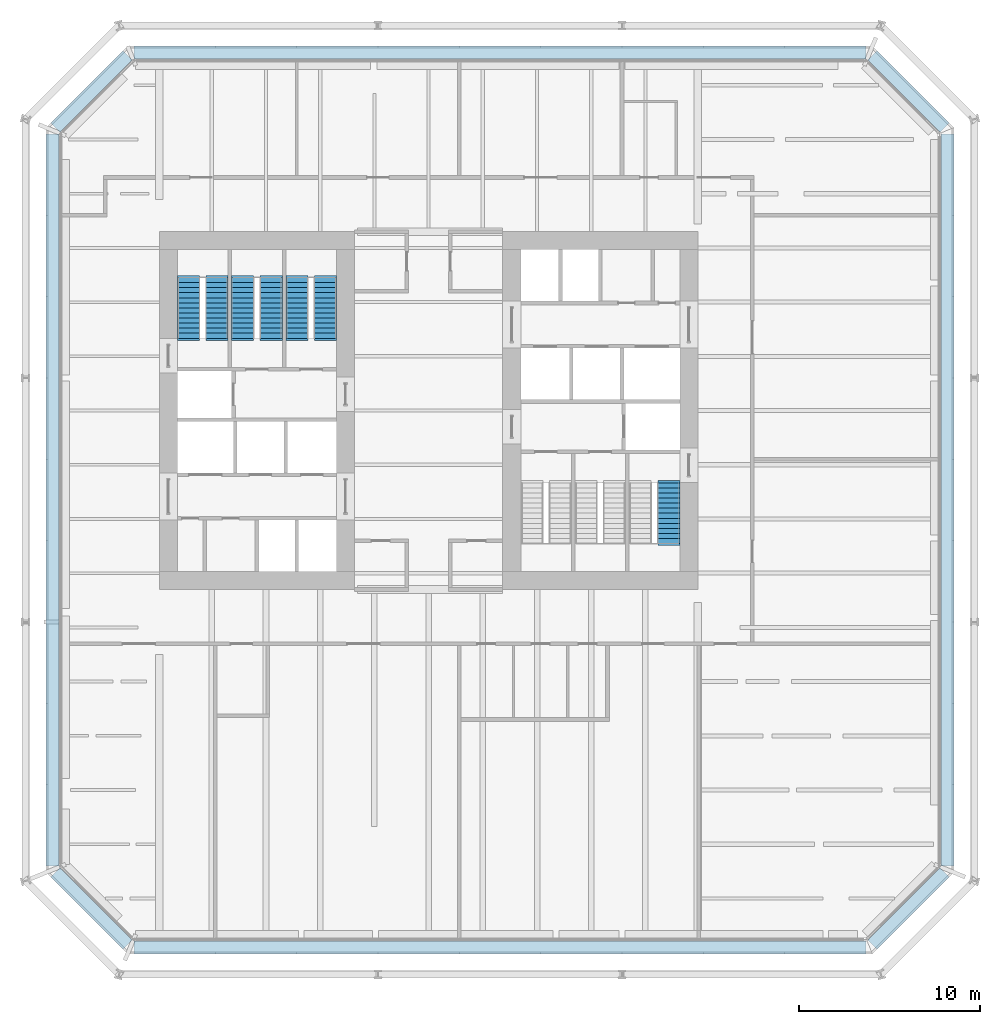
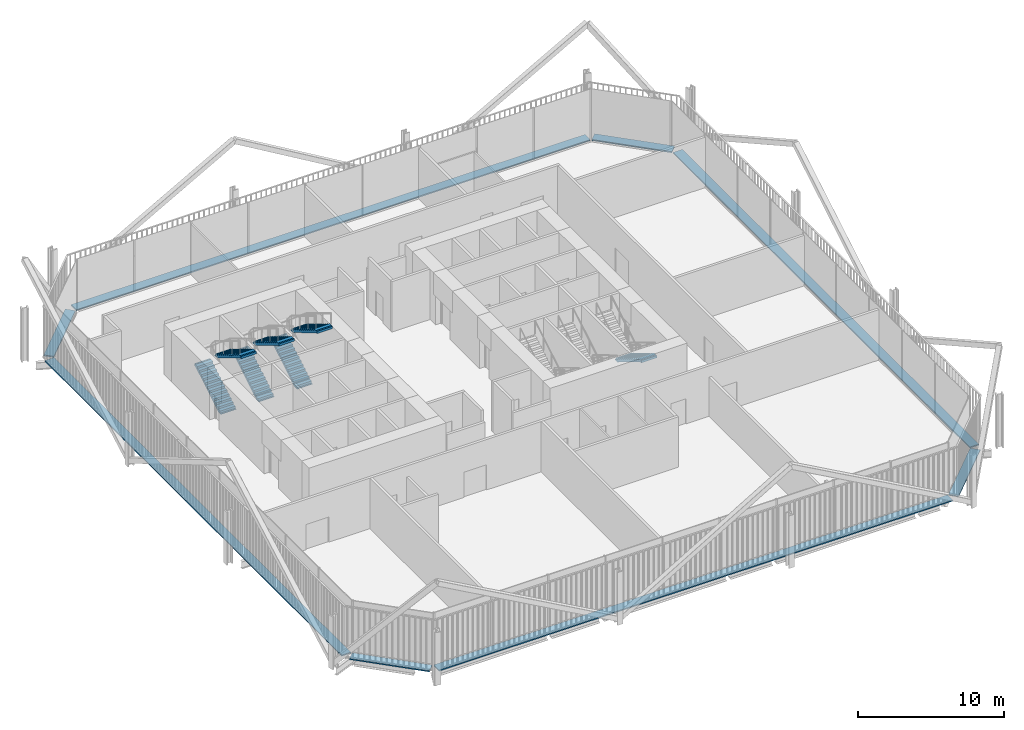
# One storey, part 20 of 21: 8 discrete accessories, 7 stair flights, 4 elements without a shape of their own.
"""IFC4 building model written with IfcOpenShell, lengths in metres."""

from ifc_helpers import new_model, si_unit, direction, frame, origin, origin_2d, place, context, subcontext, project, spatial, polyline, rectangle, outline, extrude, material, type_object, element, aggregate, save


model = new_model("IFC4")

# Units and contexts
model_context = context("Model", 3, precision=1e-05, world=origin(), true_north=direction((0.0, 1.0)))
body_context = subcontext(model_context, "Body", "Model", "MODEL_VIEW")
ifc_project = project(units=[si_unit("LENGTHUNIT", "METRE"), si_unit("AREAUNIT", "SQUARE_METRE"), si_unit("VOLUMEUNIT", "CUBIC_METRE"), si_unit("PLANEANGLEUNIT", "RADIAN"), si_unit("MASSUNIT", "GRAM", prefix="KILO")], contexts=[model_context])

# Site, building, storey
site_placement = place(None, origin())
site = spatial("IfcSite", under=ifc_project, at=site_placement, CompositionType="ELEMENT")
building_placement = place(site_placement, origin())
building = spatial("IfcBuilding", under=site, at=building_placement, Name="Millrace Tower", CompositionType="ELEMENT")
storey_placement = place(building_placement, frame((0.0, 0.0, 73.199951171875)))
storey = spatial("IfcBuildingStorey", under=building, at=storey_placement, Name="L16", CompositionType="ELEMENT", Elevation=73.199951171875)

# Stair, stair flights
ifc_material_1 = material(Name="Concrete C35", Category="concrete")
stair_type = type_object("IfcStairType", Name="Exit stair", PredefinedType="HALF_TURN_STAIR", material=ifc_material_1)
placement = place(storey_placement, origin())
stair_1 = element("IfcStair", 1, at=placement, inside=storey, type_object=stair_type, Name="Stair 1 W L16", PredefinedType="HALF_TURN_STAIR")
ifc_material_2 = material(Name="Concrete C35", Category="concrete")
stair_flight_type = type_object("IfcStairFlightType", Name="Exit stair flight", PredefinedType="STRAIGHT", material=ifc_material_2)
stair_flight_1_placement = place(storey_placement, frame((-13.2900390625, 4.0, 0.0), z_axis=(0.0, 0.0, 1.0), x_axis=(0.0, 1.0, 0.0)))
stair_flight_1 = element("IfcStairFlight", 2, at=stair_flight_1_placement, type_object=stair_flight_type, Name="ST12 flight 1", NumberOfRisers=13, NumberOfTreads=12, PredefinedType="STRAIGHT", RiserHeight=0.169230769, TreadLength=0.28, context=body_context, shape_type="SweptSolid", body=[
    extrude(outline(polyline([(-0.1201171875, -0.0400390625), (-0.1201171875, 0.0), (0.0, 0.0), (0.0, 0.169189453125), (0.280029296875, 0.169189453125), (0.280029296875, 0.33837890625), (0.56005859375, 0.33837890625), (0.56005859375, 0.5078125), (0.840087890625, 0.5078125), (0.840087890625, 0.677001953125), (1.1201171875, 0.677001953125), (1.1201171875, 0.84619140625), (1.39990234375, 0.84619140625), (1.39990234375, 1.015380859375), (1.679931640625, 1.015380859375), (1.679931640625, 1.1845703125), (1.9599609375, 1.1845703125), (1.9599609375, 1.353759765625), (2.239990234375, 1.353759765625), (2.239990234375, 1.523193359375), (2.52001953125, 1.523193359375), (2.52001953125, 1.6923828125), (2.800048828125, 1.6923828125), (2.800048828125, 1.861572265625), (3.080078125, 1.861572265625), (3.080078125, 2.03076171875), (3.360107421875, 2.03076171875), (3.360107421875, 2.05078125), (3.47998046875, 2.05078125), (3.47998046875, 1.855712890625), (3.360107421875, 1.855712890625), (0.289794921875, 0.0), (0.289794921875, -0.0400390625), (-0.1201171875, -0.0400390625)])), frame((0.0, 0.60986328125, 0.0), z_axis=(0.0, -1.0, 0.0), x_axis=(1.0, 0.0, 0.0)), (0.0, 0.0, 1.0), 1.219970703125),
])
stair_flight_2_placement = place(storey_placement, frame((-11.7099609375, 7.360107421875, 2.199951171875), z_axis=(0.0, 0.0, 1.0), x_axis=(0.0, -1.0, 0.0)))
stair_flight_2 = element("IfcStairFlight", 3, at=stair_flight_2_placement, type_object=stair_flight_type, Name="ST12 flight 2", NumberOfRisers=13, NumberOfTreads=12, PredefinedType="STRAIGHT", RiserHeight=0.169230769, TreadLength=0.28, context=body_context, shape_type="SweptSolid", body=[
    extrude(outline(polyline([(-0.1201171875, -0.0400390625), (-0.1201171875, 0.0), (0.0, 0.0), (0.0, 0.169189453125), (0.280029296875, 0.169189453125), (0.280029296875, 0.33837890625), (0.56005859375, 0.33837890625), (0.56005859375, 0.5078125), (0.840087890625, 0.5078125), (0.840087890625, 0.677001953125), (1.1201171875, 0.677001953125), (1.1201171875, 0.84619140625), (1.39990234375, 0.84619140625), (1.39990234375, 1.015380859375), (1.679931640625, 1.015380859375), (1.679931640625, 1.1845703125), (1.9599609375, 1.1845703125), (1.9599609375, 1.353759765625), (2.239990234375, 1.353759765625), (2.239990234375, 1.523193359375), (2.52001953125, 1.523193359375), (2.52001953125, 1.6923828125), (2.800048828125, 1.6923828125), (2.800048828125, 1.861572265625), (3.080078125, 1.861572265625), (3.080078125, 2.03076171875), (3.360107421875, 2.03076171875), (3.360107421875, 2.05078125), (3.47998046875, 2.05078125), (3.47998046875, 1.855712890625), (3.360107421875, 1.855712890625), (0.289794921875, 0.0), (0.289794921875, -0.0400390625), (-0.1201171875, -0.0400390625)])), frame((0.0, 0.60986328125, 0.0), z_axis=(0.0, -1.0, 0.0), x_axis=(1.0, 0.0, 0.0)), (0.0, 0.0, 1.0), 1.219970703125),
])
aggregate(stair_1, [stair_flight_1, stair_flight_2])

stair_2 = element("IfcStair", 4, at=placement, inside=storey, type_object=stair_type, Name="Stair 2 W L16", PredefinedType="HALF_TURN_STAIR")
stair_flight_3_placement = place(storey_placement, frame((-10.2900390625, 4.0, 0.0), z_axis=(0.0, 0.0, 1.0), x_axis=(0.0, 1.0, 0.0)))
stair_flight_3 = element("IfcStairFlight", 5, at=stair_flight_3_placement, type_object=stair_flight_type, Name="ST12 flight 1", NumberOfRisers=13, NumberOfTreads=12, PredefinedType="STRAIGHT", RiserHeight=0.169230769, TreadLength=0.28, context=body_context, shape_type="SweptSolid", body=[
    extrude(outline(polyline([(-0.1201171875, -0.0400390625), (-0.1201171875, 0.0), (0.0, 0.0), (0.0, 0.169189453125), (0.280029296875, 0.169189453125), (0.280029296875, 0.33837890625), (0.56005859375, 0.33837890625), (0.56005859375, 0.5078125), (0.840087890625, 0.5078125), (0.840087890625, 0.677001953125), (1.1201171875, 0.677001953125), (1.1201171875, 0.84619140625), (1.39990234375, 0.84619140625), (1.39990234375, 1.015380859375), (1.679931640625, 1.015380859375), (1.679931640625, 1.1845703125), (1.9599609375, 1.1845703125), (1.9599609375, 1.353759765625), (2.239990234375, 1.353759765625), (2.239990234375, 1.523193359375), (2.52001953125, 1.523193359375), (2.52001953125, 1.6923828125), (2.800048828125, 1.6923828125), (2.800048828125, 1.861572265625), (3.080078125, 1.861572265625), (3.080078125, 2.03076171875), (3.360107421875, 2.03076171875), (3.360107421875, 2.05078125), (3.47998046875, 2.05078125), (3.47998046875, 1.855712890625), (3.360107421875, 1.855712890625), (0.289794921875, 0.0), (0.289794921875, -0.0400390625), (-0.1201171875, -0.0400390625)])), frame((0.0, 0.60986328125, 0.0), z_axis=(0.0, -1.0, 0.0), x_axis=(1.0, 0.0, 0.0)), (0.0, 0.0, 1.0), 1.219970703125),
])
stair_flight_4_placement = place(storey_placement, frame((-8.7099609375, 7.360107421875, 2.199951171875), z_axis=(0.0, 0.0, 1.0), x_axis=(0.0, -1.0, 0.0)))
stair_flight_4 = element("IfcStairFlight", 6, at=stair_flight_4_placement, type_object=stair_flight_type, Name="ST12 flight 2", NumberOfRisers=13, NumberOfTreads=12, PredefinedType="STRAIGHT", RiserHeight=0.169230769, TreadLength=0.28, context=body_context, shape_type="SweptSolid", body=[
    extrude(outline(polyline([(-0.1201171875, -0.0400390625), (-0.1201171875, 0.0), (0.0, 0.0), (0.0, 0.169189453125), (0.280029296875, 0.169189453125), (0.280029296875, 0.33837890625), (0.56005859375, 0.33837890625), (0.56005859375, 0.5078125), (0.840087890625, 0.5078125), (0.840087890625, 0.677001953125), (1.1201171875, 0.677001953125), (1.1201171875, 0.84619140625), (1.39990234375, 0.84619140625), (1.39990234375, 1.015380859375), (1.679931640625, 1.015380859375), (1.679931640625, 1.1845703125), (1.9599609375, 1.1845703125), (1.9599609375, 1.353759765625), (2.239990234375, 1.353759765625), (2.239990234375, 1.523193359375), (2.52001953125, 1.523193359375), (2.52001953125, 1.6923828125), (2.800048828125, 1.6923828125), (2.800048828125, 1.861572265625), (3.080078125, 1.861572265625), (3.080078125, 2.03076171875), (3.360107421875, 2.03076171875), (3.360107421875, 2.05078125), (3.47998046875, 2.05078125), (3.47998046875, 1.855712890625), (3.360107421875, 1.855712890625), (0.289794921875, 0.0), (0.289794921875, -0.0400390625), (-0.1201171875, -0.0400390625)])), frame((0.0, 0.60986328125, 0.0), z_axis=(0.0, -1.0, 0.0), x_axis=(1.0, 0.0, 0.0)), (0.0, 0.0, 1.0), 1.219970703125),
])
aggregate(stair_2, [stair_flight_3, stair_flight_4])

stair_3 = element("IfcStair", 7, at=placement, inside=storey, type_object=stair_type, Name="Stair 3 W L16", PredefinedType="HALF_TURN_STAIR")
stair_flight_5_placement = place(storey_placement, frame((-7.2900390625, 4.0, 0.0), z_axis=(0.0, 0.0, 1.0), x_axis=(0.0, 1.0, 0.0)))
stair_flight_5 = element("IfcStairFlight", 8, at=stair_flight_5_placement, type_object=stair_flight_type, Name="ST12 flight 1", NumberOfRisers=13, NumberOfTreads=12, PredefinedType="STRAIGHT", RiserHeight=0.169230769, TreadLength=0.28, context=body_context, shape_type="SweptSolid", body=[
    extrude(outline(polyline([(-0.1201171875, -0.0400390625), (-0.1201171875, 0.0), (0.0, 0.0), (0.0, 0.169189453125), (0.280029296875, 0.169189453125), (0.280029296875, 0.33837890625), (0.56005859375, 0.33837890625), (0.56005859375, 0.5078125), (0.840087890625, 0.5078125), (0.840087890625, 0.677001953125), (1.1201171875, 0.677001953125), (1.1201171875, 0.84619140625), (1.39990234375, 0.84619140625), (1.39990234375, 1.015380859375), (1.679931640625, 1.015380859375), (1.679931640625, 1.1845703125), (1.9599609375, 1.1845703125), (1.9599609375, 1.353759765625), (2.239990234375, 1.353759765625), (2.239990234375, 1.523193359375), (2.52001953125, 1.523193359375), (2.52001953125, 1.6923828125), (2.800048828125, 1.6923828125), (2.800048828125, 1.861572265625), (3.080078125, 1.861572265625), (3.080078125, 2.03076171875), (3.360107421875, 2.03076171875), (3.360107421875, 2.05078125), (3.47998046875, 2.05078125), (3.47998046875, 1.855712890625), (3.360107421875, 1.855712890625), (0.289794921875, 0.0), (0.289794921875, -0.0400390625), (-0.1201171875, -0.0400390625)])), frame((0.0, 0.60986328125, 0.0), z_axis=(0.0, -1.0, 0.0), x_axis=(1.0, 0.0, 0.0)), (0.0, 0.0, 1.0), 1.219970703125),
])
stair_flight_6_placement = place(storey_placement, frame((-5.7099609375, 7.360107421875, 2.199951171875), z_axis=(0.0, 0.0, 1.0), x_axis=(0.0, -1.0, 0.0)))
stair_flight_6 = element("IfcStairFlight", 9, at=stair_flight_6_placement, type_object=stair_flight_type, Name="ST12 flight 2", NumberOfRisers=13, NumberOfTreads=12, PredefinedType="STRAIGHT", RiserHeight=0.169230769, TreadLength=0.28, context=body_context, shape_type="SweptSolid", body=[
    extrude(outline(polyline([(-0.1201171875, -0.0400390625), (-0.1201171875, 0.0), (0.0, 0.0), (0.0, 0.169189453125), (0.280029296875, 0.169189453125), (0.280029296875, 0.33837890625), (0.56005859375, 0.33837890625), (0.56005859375, 0.5078125), (0.840087890625, 0.5078125), (0.840087890625, 0.677001953125), (1.1201171875, 0.677001953125), (1.1201171875, 0.84619140625), (1.39990234375, 0.84619140625), (1.39990234375, 1.015380859375), (1.679931640625, 1.015380859375), (1.679931640625, 1.1845703125), (1.9599609375, 1.1845703125), (1.9599609375, 1.353759765625), (2.239990234375, 1.353759765625), (2.239990234375, 1.523193359375), (2.52001953125, 1.523193359375), (2.52001953125, 1.6923828125), (2.800048828125, 1.6923828125), (2.800048828125, 1.861572265625), (3.080078125, 1.861572265625), (3.080078125, 2.03076171875), (3.360107421875, 2.03076171875), (3.360107421875, 2.05078125), (3.47998046875, 2.05078125), (3.47998046875, 1.855712890625), (3.360107421875, 1.855712890625), (0.289794921875, 0.0), (0.289794921875, -0.0400390625), (-0.1201171875, -0.0400390625)])), frame((0.0, 0.60986328125, 0.0), z_axis=(0.0, -1.0, 0.0), x_axis=(1.0, 0.0, 0.0)), (0.0, 0.0, 1.0), 1.219970703125),
])
aggregate(stair_3, [stair_flight_5, stair_flight_6])

# Stair, stair flight
stair_4 = element("IfcStair", 10, at=placement, inside=storey, type_object=stair_type, Name="Stair 1 E L16", PredefinedType="HALF_TURN_STAIR")
stair_flight_7_placement = place(storey_placement, frame((13.2900390625, -4.0, 0.0), z_axis=(0.0, 0.0, 1.0), x_axis=(0.0, -1.0, 0.0)))
stair_flight_7 = element("IfcStairFlight", 11, at=stair_flight_7_placement, type_object=stair_flight_type, Name="ST12 flight 1", NumberOfRisers=13, NumberOfTreads=12, PredefinedType="STRAIGHT", RiserHeight=0.169230769, TreadLength=0.28, context=body_context, shape_type="SweptSolid", body=[
    extrude(outline(polyline([(-0.1201171875, -0.0400390625), (-0.1201171875, 0.0), (0.0, 0.0), (0.0, 0.169189453125), (0.280029296875, 0.169189453125), (0.280029296875, 0.33837890625), (0.56005859375, 0.33837890625), (0.56005859375, 0.5078125), (0.840087890625, 0.5078125), (0.840087890625, 0.677001953125), (1.1201171875, 0.677001953125), (1.1201171875, 0.84619140625), (1.39990234375, 0.84619140625), (1.39990234375, 1.015380859375), (1.679931640625, 1.015380859375), (1.679931640625, 1.1845703125), (1.9599609375, 1.1845703125), (1.9599609375, 1.353759765625), (2.239990234375, 1.353759765625), (2.239990234375, 1.523193359375), (2.52001953125, 1.523193359375), (2.52001953125, 1.6923828125), (2.800048828125, 1.6923828125), (2.800048828125, 1.861572265625), (3.080078125, 1.861572265625), (3.080078125, 2.03076171875), (3.360107421875, 2.03076171875), (3.360107421875, 2.05078125), (3.47998046875, 2.05078125), (3.47998046875, 1.855712890625), (3.360107421875, 1.855712890625), (0.289794921875, 0.0), (0.289794921875, -0.0400390625), (-0.1201171875, -0.0400390625)])), frame((0.0, 0.60986328125, 0.0), z_axis=(0.0, -1.0, 0.0), x_axis=(1.0, 0.0, 0.0)), (0.0, 0.0, 1.0), 1.219970703125),
])
aggregate(stair_4, [stair_flight_7])

# Discrete accessories
ifc_material_3 = material(Name="Stainless steel ASTM A240 type 316", Category="steel")
discrete_accessory_type = type_object("IfcDiscreteAccessoryType", Name="Thermally broken screen support rail", PredefinedType="BRACKET", material=ifc_material_3)
discrete_accessory_1_placement = place(storey_placement, frame((-18.66064453125, -27.560546875, 0.0), z_axis=(0.0, 0.0, 1.0), x_axis=(0.707106781187, -0.707106781187, 0.0)))
element("IfcDiscreteAccessory", 12, at=discrete_accessory_1_placement, inside=storey, type_object=discrete_accessory_type, Name="Thermally broken screen support rail B-F01 L16 1", PredefinedType="BRACKET", context=body_context, shape_type="SweptSolid", body=[
    extrude(rectangle(XDim=5.65673828125, YDim=0.719970703125, at=origin_2d()), origin(), (0.0, 0.0, 1.0), 0.10009765625),
])
discrete_accessory_2_placement = place(storey_placement, frame((3.949951171875, -29.7099609375, 0.0), z_axis=(0.0, 0.0, 1.0), x_axis=(1.0, 0.0, 0.0)))
element("IfcDiscreteAccessory", 13, at=discrete_accessory_2_placement, inside=storey, type_object=discrete_accessory_type, Name="Thermally broken screen support rail B-F02 L16 1", PredefinedType="BRACKET", context=body_context, shape_type="SweptSolid", body=[
    extrude(rectangle(XDim=40.5, YDim=0.719970703125, at=origin_2d()), origin(), (0.0, 0.0, 1.0), 0.10009765625),
])
discrete_accessory_3_placement = place(storey_placement, frame((26.560546875, -27.560546875, 0.0), z_axis=(0.0, 0.0, 1.0), x_axis=(0.707106781187, 0.707106781187, 0.0)))
element("IfcDiscreteAccessory", 14, at=discrete_accessory_3_placement, inside=storey, type_object=discrete_accessory_type, Name="Thermally broken screen support rail B-F03 L16 1", PredefinedType="BRACKET", context=body_context, shape_type="SweptSolid", body=[
    extrude(rectangle(XDim=5.65673828125, YDim=0.719970703125, at=origin_2d()), origin(), (0.0, 0.0, 1.0), 0.10009765625),
])
discrete_accessory_4_placement = place(storey_placement, frame((28.7099609375, -4.949951171875, 0.0), z_axis=(0.0, 0.0, 1.0), x_axis=(0.0, 1.0, 0.0)))
element("IfcDiscreteAccessory", 15, at=discrete_accessory_4_placement, inside=storey, type_object=discrete_accessory_type, Name="Thermally broken screen support rail B-F04 L16 1", PredefinedType="BRACKET", context=body_context, shape_type="SweptSolid", body=[
    extrude(rectangle(XDim=40.5, YDim=0.719970703125, at=origin_2d()), origin(), (0.0, 0.0, 1.0), 0.10009765625),
])
discrete_accessory_5_placement = place(storey_placement, frame((26.560546875, 17.66064453125, 0.0), z_axis=(0.0, 0.0, 1.0), x_axis=(-0.707106781187, 0.707106781187, 0.0)))
element("IfcDiscreteAccessory", 16, at=discrete_accessory_5_placement, inside=storey, type_object=discrete_accessory_type, Name="Thermally broken screen support rail B-F05 L16 1", PredefinedType="BRACKET", context=body_context, shape_type="SweptSolid", body=[
    extrude(rectangle(XDim=5.65673828125, YDim=0.719970703125, at=origin_2d()), origin(), (0.0, 0.0, 1.0), 0.10009765625),
])
discrete_accessory_6_placement = place(storey_placement, frame((3.949951171875, 19.81005859375, 0.0), z_axis=(0.0, 0.0, 1.0), x_axis=(-1.0, 0.0, 0.0)))
element("IfcDiscreteAccessory", 17, at=discrete_accessory_6_placement, inside=storey, type_object=discrete_accessory_type, Name="Thermally broken screen support rail B-F06 L16 1", PredefinedType="BRACKET", context=body_context, shape_type="SweptSolid", body=[
    extrude(rectangle(XDim=40.5, YDim=0.719970703125, at=origin_2d()), origin(), (0.0, 0.0, 1.0), 0.10009765625),
])
discrete_accessory_7_placement = place(storey_placement, frame((-18.66064453125, 17.66064453125, 0.0), z_axis=(0.0, 0.0, 1.0), x_axis=(-0.707106781187, -0.707106781187, 0.0)))
element("IfcDiscreteAccessory", 18, at=discrete_accessory_7_placement, inside=storey, type_object=discrete_accessory_type, Name="Thermally broken screen support rail B-F07 L16 1", PredefinedType="BRACKET", context=body_context, shape_type="SweptSolid", body=[
    extrude(rectangle(XDim=5.65673828125, YDim=0.719970703125, at=origin_2d()), origin(), (0.0, 0.0, 1.0), 0.10009765625),
])
discrete_accessory_8_placement = place(storey_placement, frame((-20.81005859375, -4.949951171875, 0.0), z_axis=(0.0, 0.0, 1.0), x_axis=(0.0, -1.0, 0.0)))
element("IfcDiscreteAccessory", 19, at=discrete_accessory_8_placement, inside=storey, type_object=discrete_accessory_type, Name="Thermally broken screen support rail B-F08 L16 1", PredefinedType="BRACKET", context=body_context, shape_type="SweptSolid", body=[
    extrude(rectangle(XDim=40.5, YDim=0.719970703125, at=origin_2d()), origin(), (0.0, 0.0, 1.0), 0.10009765625),
])

save(model, "model.ifc")
